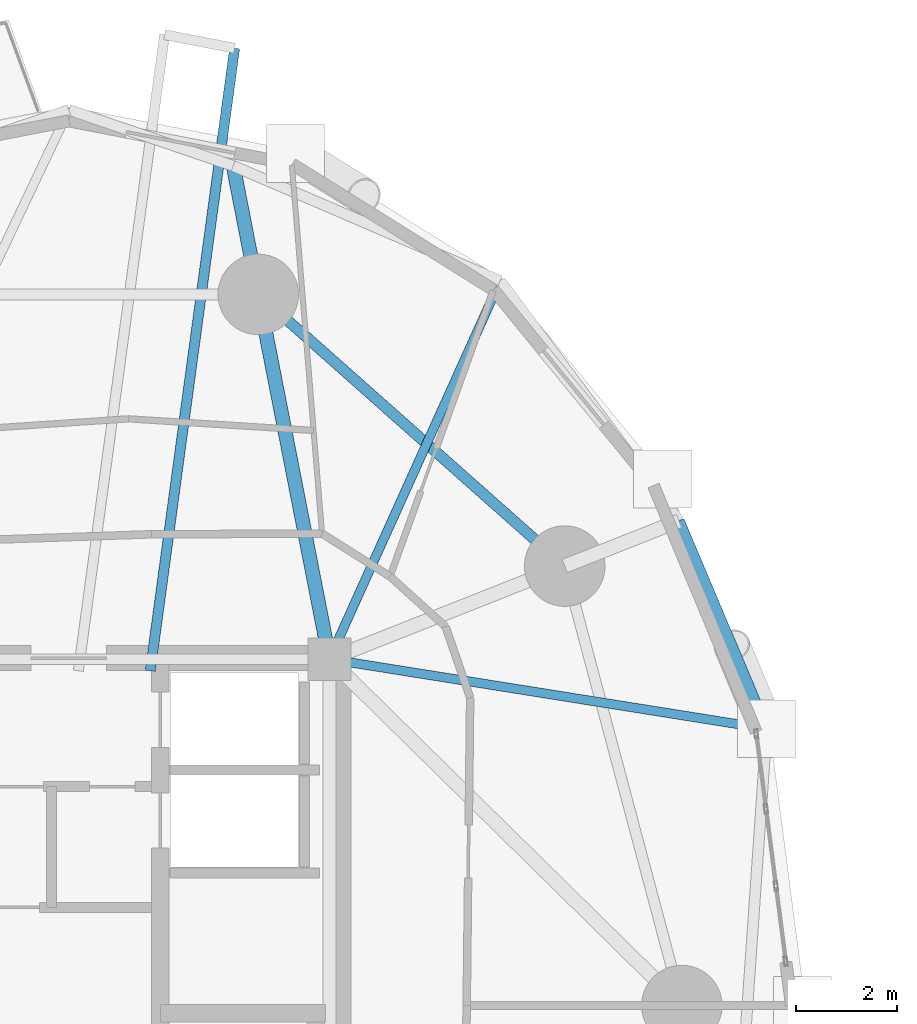
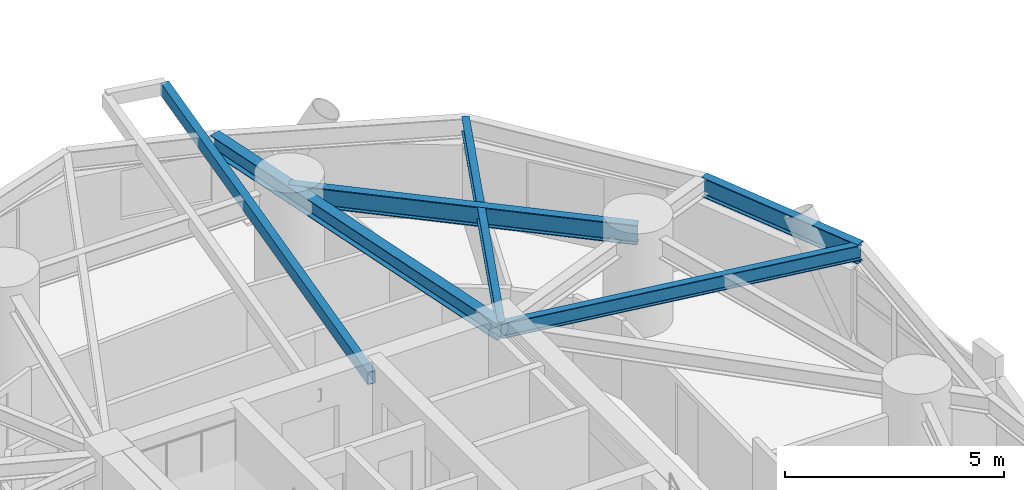
# One storey, part 4 of 18: 6 beams.
"""IFC4 building model written with IfcOpenShell, lengths in metres."""

from ifc_helpers import new_model, si_unit, direction, frame, origin, origin_2d, place, context, subcontext, project, spatial, hollow_rectangle, i_section, extrude, material, material_profile, profile_set, type_object, element, save


model = new_model("IFC4")

# Units and contexts
model_context = context("Model", 3, precision=1e-05, world=origin(), true_north=direction((0.0, 1.0)))
body_context = subcontext(model_context, "Body", "Model", "MODEL_VIEW")
ifc_project = project(units=[si_unit("LENGTHUNIT", "METRE"), si_unit("AREAUNIT", "SQUARE_METRE"), si_unit("VOLUMEUNIT", "CUBIC_METRE"), si_unit("PLANEANGLEUNIT", "RADIAN"), si_unit("MASSUNIT", "GRAM", prefix="KILO")], contexts=[model_context])

# Site, building, storey
site_placement = place(None, origin())
site = spatial("IfcSite", under=ifc_project, at=site_placement, CompositionType="ELEMENT")
building_placement = place(site_placement, origin())
building = spatial("IfcBuilding", under=site, at=building_placement, Name="Cununo Teusaquillo Station Towers", CompositionType="ELEMENT")
storey_placement = place(building_placement, frame((0.0, 0.0, 22.0)))
storey = spatial("IfcBuildingStorey", under=building, at=storey_placement, Name="L05", CompositionType="ELEMENT", Elevation=22.0)

# Beams
ifc_material_1 = material(Name="Steel EN 10025-2 S355J2", Category="steel")
ifc_material_profile_1 = material_profile(ifc_material_1, hollow_rectangle(XDim=0.199951171875, YDim=0.35009765625, WallThickness=0.013916015625, at=origin_2d()), Name="RHS 350x200x14")
ifc_profile_set_1 = profile_set([ifc_material_profile_1], Name="Steel EN 10025-2 S355J2")
beam_type_1 = type_object("IfcBeamType", Name="BM-BAL-CANT", PredefinedType="BEAM", material=ifc_profile_set_1)
beam_1_placement = place(storey_placement, frame((18.115478515625, 31.14990234375, 2.47509765625), z_axis=(0.134333385501, 0.990936194485, 0.0), x_axis=(-0.990936194485, 0.134333385501, 0.0)))
element("IfcBeam", 1, at=beam_1_placement, inside=storey, type_object=beam_type_1, Name="L05 Tower A Balcony Cantilever Bracket 1A", PredefinedType="BEAM", context=body_context, shape_type="SweptSolid", body=[
    extrude(hollow_rectangle(XDim=0.199951171875, YDim=0.35009765625, WallThickness=0.013916015625, at=origin_2d()), origin(), (0.0, 0.0, 1.0), 12.4765625),
])
ifc_material_2 = material(Name="Steel ASTM A572 Grade 50", Category="steel")
ifc_material_profile_2 = material_profile(ifc_material_2, i_section(OverallWidth=0.180908203125, OverallDepth=0.4169921875, WebThickness=0.010986328125, FlangeThickness=0.018310546875, FilletRadius=0.012939453125, at=origin_2d()), Name="W16X57")
ifc_profile_set_2 = profile_set([ifc_material_profile_2], Name="Steel ASTM A572 Grade 50")
beam_type_2 = type_object("IfcBeamType", Name="BM-JOIST-1", PredefinedType="JOIST", material=ifc_profile_set_2)
beam_2_placement = place(storey_placement, frame((21.675048828125, 31.3798828125, 2.44140625), z_axis=(0.987559048351, -0.157248612141, 0.0), x_axis=(0.157248612141, 0.987559048351, 0.0)))
element("IfcBeam", 2, at=beam_2_placement, inside=storey, type_object=beam_type_2, Name="L05 Tower A Radial Spandrel Joist V01", PredefinedType="JOIST", context=body_context, shape_type="SweptSolid", body=[
    extrude(i_section(OverallWidth=0.180908203125, OverallDepth=0.4169921875, WebThickness=0.010986328125, FlangeThickness=0.018310546875, FilletRadius=0.012939453125, at=origin_2d()), origin(), (0.0, 0.0, 1.0), 8.792236328125),
])
beam_3_placement = place(storey_placement, frame((21.675048828125, 31.3798828125, 2.44140625), z_axis=(0.41127716143, 0.911510338113, 0.0), x_axis=(-0.911510338113, 0.41127716143, 0.0)))
element("IfcBeam", 3, at=beam_3_placement, inside=storey, type_object=beam_type_2, Name="L05 Tower A Radial Spandrel Joist V03", PredefinedType="JOIST", context=body_context, shape_type="SweptSolid", body=[
    extrude(i_section(OverallWidth=0.180908203125, OverallDepth=0.4169921875, WebThickness=0.010986328125, FlangeThickness=0.018310546875, FilletRadius=0.012939453125, at=origin_2d()), origin(), (0.0, 0.0, 1.0), 8.24169921875),
])
ifc_material_3 = material(Name="Steel ASTM A572 Grade 50", Category="steel")
ifc_material_profile_3 = material_profile(ifc_material_3, i_section(OverallWidth=0.280029296875, OverallDepth=0.462890625, WebThickness=0.0107421875, FlangeThickness=0.017333984375, FilletRadius=0.013916015625, at=origin_2d()), Name="W18X76")
ifc_profile_set_3 = profile_set([ifc_material_profile_3], Name="Steel ASTM A572 Grade 50")
beam_type_3 = type_object("IfcBeamType", Name="BM-RAD-G1", PredefinedType="BEAM", material=ifc_profile_set_3)
beam_4_placement = place(storey_placement, frame((21.675048828125, 31.3798828125, 2.41845703125), z_axis=(-0.191551733899, 0.981482518051, 0.0), x_axis=(-0.981482518051, -0.191551733899, 0.0)))
element("IfcBeam", 4, at=beam_4_placement, inside=storey, type_object=beam_type_3, Name="L05 Tower A Continuous Overhanging Radial Girder 03", PredefinedType="BEAM", context=body_context, shape_type="SweptSolid", body=[
    extrude(i_section(OverallWidth=0.280029296875, OverallDepth=0.462890625, WebThickness=0.0107421875, FlangeThickness=0.017333984375, FilletRadius=0.013916015625, at=origin_2d()), origin(), (0.0, 0.0, 1.0), 9.982177734375),
])
ifc_material_4 = material(Name="Steel ASTM A572 Grade 50", Category="steel")
ifc_material_profile_4 = material_profile(ifc_material_4, i_section(OverallWidth=0.214111328125, OverallDepth=0.549072265625, WebThickness=0.0146484375, FlangeThickness=0.023681640625, FilletRadius=0.014892578125, at=origin_2d()), Name="W21X93")
ifc_profile_set_4 = profile_set([ifc_material_profile_4], Name="Steel ASTM A572 Grade 50")
beam_type_4 = type_object("IfcBeamType", Name="BM-RING-Z1", PredefinedType="SPANDREL", material=ifc_profile_set_4)
beam_5_placement = place(storey_placement, frame((26.347412109375, 33.228515625, 2.37548828125), z_axis=(-0.74832120039, 0.66333655187, 0.0), x_axis=(-0.66333655187, -0.74832120039, 0.0)))
element("IfcBeam", 5, at=beam_5_placement, inside=storey, type_object=beam_type_4, Name="L05 Tower A Structural Column Ring Girder 02", PredefinedType="SPANDREL", context=body_context, shape_type="SweptSolid", body=[
    extrude(i_section(OverallWidth=0.214111328125, OverallDepth=0.549072265625, WebThickness=0.0146484375, FlangeThickness=0.023681640625, FilletRadius=0.014892578125, at=origin_2d()), origin(), (0.0, 0.0, 1.0), 8.1328125),
])
beam_6_placement = place(storey_placement, frame((30.35791015625, 29.997314453125, 2.37548828125), z_axis=(-0.388553804392, 0.921426036691, 0.0), x_axis=(-0.921426036691, -0.388553804392, 0.0)))
element("IfcBeam", 6, at=beam_6_placement, inside=storey, type_object=beam_type_4, Name="L05 Tower A Spandrel Ring Beam 02", PredefinedType="SPANDREL", context=body_context, shape_type="SweptSolid", body=[
    extrude(i_section(OverallWidth=0.214111328125, OverallDepth=0.549072265625, WebThickness=0.0146484375, FlangeThickness=0.023681640625, FilletRadius=0.014892578125, at=origin_2d()), origin(), (0.0, 0.0, 1.0), 4.481201171875),
])

save(model, "model.ifc")
